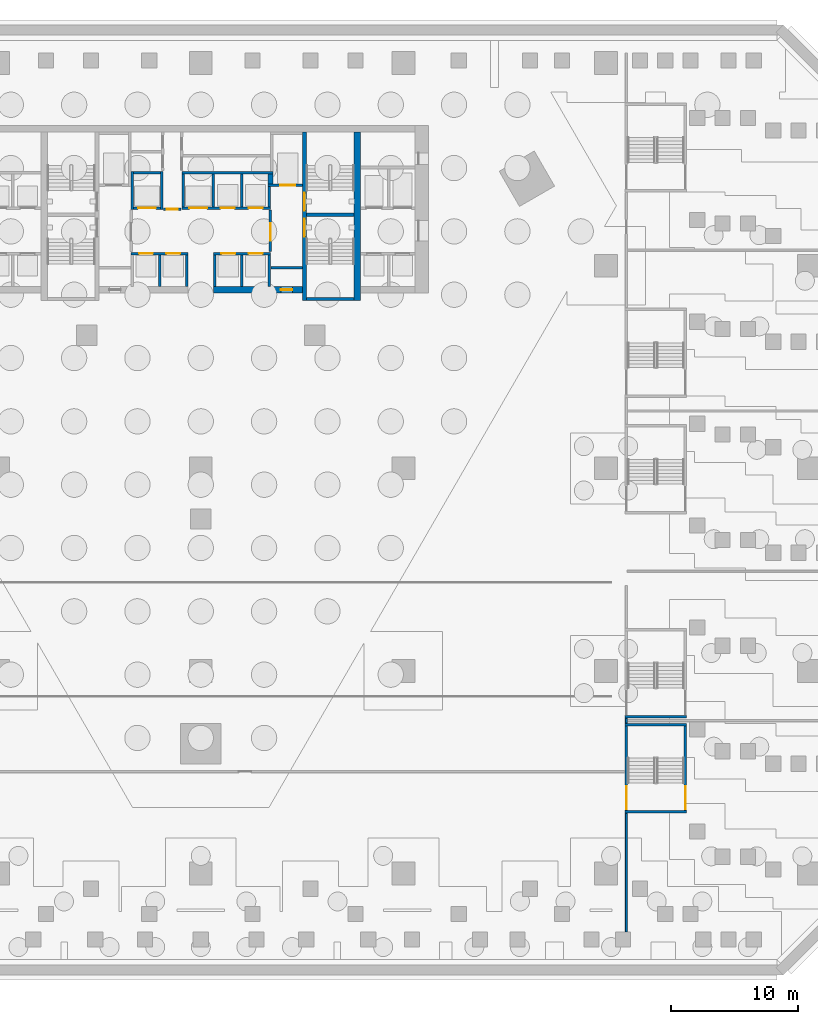
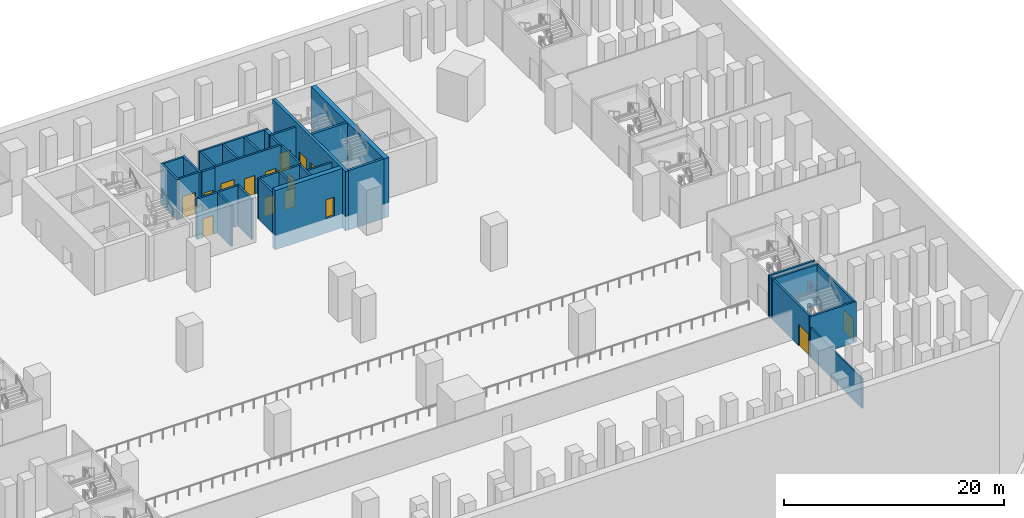
# One storey, part 9 of 27: 34 walls, 16 doors, 16 openings.
"""IFC4 building model written with IfcOpenShell, lengths in metres."""

from ifc_helpers import new_model, si_unit, direction, frame, frame_2d, origin, place, context, subcontext, project, spatial, rectangle, extrude, material, layer, layer_set, type_object, element, fill, save


model = new_model("IFC4")

# Units and contexts
model_context = context("Model", 3, precision=1e-05, world=origin(), true_north=direction((0.0, 1.0)))
body_context = subcontext(model_context, "Body", "Model", "MODEL_VIEW")
ifc_project = project(units=[si_unit("LENGTHUNIT", "METRE"), si_unit("AREAUNIT", "SQUARE_METRE"), si_unit("VOLUMEUNIT", "CUBIC_METRE"), si_unit("PLANEANGLEUNIT", "RADIAN"), si_unit("MASSUNIT", "GRAM", prefix="KILO")], contexts=[model_context])

# Site, building, storey
site_placement = place(None, origin())
site = spatial("IfcSite", under=ifc_project, at=site_placement, CompositionType="ELEMENT")
building_placement = place(site_placement, origin())
building = spatial("IfcBuilding", under=site, at=building_placement, Name="Calabash Gate Tower", CompositionType="ELEMENT")
storey_placement = place(building_placement, frame((0.0, 0.0, -10.0)))
storey = spatial("IfcBuildingStorey", under=building, at=storey_placement, Name="B2", CompositionType="ELEMENT", Elevation=-10.0)

# Walls
ifc_material_1 = material(Name="Concrete C60/75", Category="concrete")
ifc_layer_1 = layer(ifc_material_1, 0.25)
ifc_layer_set_1 = layer_set([ifc_layer_1], Name="Core wall 250 Concrete C60/75")
wall_type_1 = type_object("IfcWallType", Name="Core wall 250 Concrete C60/75", PredefinedType="SHEAR", material=ifc_layer_set_1)
for number, where, z_axis, x_axis, name in (
    (1, (8.35009765625, 12.027587890625, -1.60009765625), (0.0, 0.0, 1.0), (1.0, 0.0, 0.0), "Core wall B-MIDE B2"),
    (2, (8.35009765625, 5.377685546875, -1.60009765625), (0.0, 0.0, 1.0), (1.0, 0.0, 0.0), "Core wall B-SSE B2"),
):
    element("IfcWall", number, at=place(storey_placement, frame(where, z_axis=z_axis, x_axis=x_axis)), inside=storey, type_object=wall_type_1, Name=name, PredefinedType="SHEAR", context=body_context, shape_type="SweptSolid", body=[
        extrude(rectangle(XDim=3.75, YDim=0.25, at=frame_2d((1.875, 0.0))), origin(), (0.0, 0.0, 1.0), 6.60009765625),
    ])

# Wall, openings, doors
ifc_material_2 = material(Name="Concrete C60/75", Category="concrete")
ifc_layer_2 = layer(ifc_material_2, 0.300048828125)
ifc_layer_set_2 = layer_set([ifc_layer_2], Name="Core wall 300 Concrete C60/75")
wall_type_2 = type_object("IfcWallType", Name="Core wall 300 Concrete C60/75", PredefinedType="SHEAR", material=ifc_layer_set_2)
wall_1_placement = place(storey_placement, frame((8.199951171875, 5.252685546875, -1.60009765625), z_axis=(0.0, 0.0, 1.0), x_axis=(0.0, 1.0, 0.0)))
wall_1 = element("IfcWall", 3, at=wall_1_placement, inside=storey, type_object=wall_type_2, Name="Core wall B-PARTE B2", PredefinedType="SHEAR", context=body_context, shape_type="SweptSolid", body=[
    extrude(rectangle(XDim=13.2998046875, YDim=0.300048828125, at=frame_2d((6.64990234375, 0.0))), origin(), (0.0, 0.0, 1.0), 6.60009765625),
])
opening_1_placement = place(wall_1_placement, frame((7.10009765625, 0.0, 1.60009765625)))
opening_1 = element("IfcOpeningElement", 4, at=opening_1_placement, cuts=wall_1, Name="Opening B2-003", PredefinedType="OPENING", context=body_context, shape_type="SweptSolid", body=[
    extrude(rectangle(XDim=1.39990234375, YDim=2.10009765625, at=frame_2d((0.699951171875, 1.050048828125))), frame((0.0, 0.159912109375, 0.0), z_axis=(0.0, -1.0, 0.0), x_axis=(1.0, 0.0, 0.0)), (0.0, 0.0, 1.0), 0.320068359375),
])
opening_2_placement = place(wall_1_placement, frame((5.050048828125, 0.0, 1.60009765625)))
opening_2 = element("IfcOpeningElement", 5, at=opening_2_placement, cuts=wall_1, Name="Opening B2-004", PredefinedType="OPENING", context=body_context, shape_type="SweptSolid", body=[
    extrude(rectangle(XDim=1.39990234375, YDim=2.10009765625, at=frame_2d((0.699951171875, 1.050048828125))), frame((0.0, 0.159912109375, 0.0), z_axis=(0.0, -1.0, 0.0), x_axis=(1.0, 0.0, 0.0)), (0.0, 0.0, 1.0), 0.320068359375),
])
ifc_material_3 = material(Name="Steel fire door set with fire-resisting glazing", Category="steel")
door_type_1 = type_object("IfcDoorType", Name="Fire door D05 1400x2100 FD90", OperationType="NOTDEFINED", PredefinedType="DOOR", material=ifc_material_3)
door_1_placement = place(opening_1_placement, origin())
door_1 = element("IfcDoor", 6, at=door_1_placement, inside=storey, type_object=door_type_1, Name="Exit stair door ST3", OperationType="SINGLE_SWING_RIGHT", OverallHeight=2.10009765625, OverallWidth=1.39990234375, PredefinedType="DOOR", context=body_context, shape_type="SweptSolid", body=[
    extrude(rectangle(XDim=1.39990234375, YDim=2.10009765625, at=frame_2d((0.699951171875, 1.050048828125))), frame((0.0, 0.02490234375, 0.0), z_axis=(0.0, -1.0, 0.0), x_axis=(1.0, 0.0, 0.0)), (0.0, 0.0, 1.0), 0.050048828125),
])
fill(opening_1, door_1)
door_2_placement = place(opening_2_placement, origin())
door_2 = element("IfcDoor", 7, at=door_2_placement, inside=storey, type_object=door_type_1, Name="Exit stair door ST4", OperationType="SINGLE_SWING_LEFT", OverallHeight=2.10009765625, OverallWidth=1.39990234375, PredefinedType="DOOR", context=body_context, shape_type="SweptSolid", body=[
    extrude(rectangle(XDim=1.39990234375, YDim=2.10009765625, at=frame_2d((0.699951171875, 1.050048828125))), frame((0.0, 0.02490234375, 0.0), z_axis=(0.0, -1.0, 0.0), x_axis=(1.0, 0.0, 0.0)), (0.0, 0.0, 1.0), 0.050048828125),
])
fill(opening_2, door_2)

# Wall
ifc_material_4 = material(Name="Concrete C60/75", Category="concrete")
ifc_layer_3 = layer(ifc_material_4, 0.5)
ifc_layer_set_3 = layer_set([ifc_layer_3], Name="Core wall 500 Concrete C60/75")
wall_type_3 = type_object("IfcWallType", Name="Core wall 500 Concrete C60/75", PredefinedType="SHEAR", material=ifc_layer_set_3)
wall_2_placement = place(storey_placement, frame((12.35009765625, 5.252685546875, -1.60009765625), z_axis=(0.0, 0.0, 1.0), x_axis=(0.0, 1.0, 0.0)))
element("IfcWall", 8, at=wall_2_placement, inside=storey, type_object=wall_type_3, Name="Core wall B-COLE B2", PredefinedType="SHEAR", context=body_context, shape_type="SweptSolid", body=[
    extrude(rectangle(XDim=13.2998046875, YDim=0.5, at=frame_2d((6.64990234375, 0.0))), origin(), (0.0, 0.0, 1.0), 6.60009765625),
])

# Wall, opening, door
wall_3_placement = place(storey_placement, frame((1.0, 6.1025390625, -1.60009765625), z_axis=(0.0, 0.0, 1.0), x_axis=(1.0, 0.0, 0.0)))
wall_3 = element("IfcWall", 9, at=wall_3_placement, inside=storey, type_object=wall_type_3, Name="Core wall B-SB B2", PredefinedType="SHEAR", context=body_context, shape_type="SweptSolid", body=[
    extrude(rectangle(XDim=7.050048828125, YDim=0.5, at=frame_2d((3.52490234375, 0.0))), origin(), (0.0, 0.0, 1.0), 6.60009765625),
])
opening_3_placement = place(wall_3_placement, frame((5.324951171875, 0.0, 1.60009765625)))
opening_3 = element("IfcOpeningElement", 10, at=opening_3_placement, cuts=wall_3, Name="Opening B2-013", PredefinedType="OPENING", context=body_context, shape_type="SweptSolid", body=[
    extrude(rectangle(XDim=0.89990234375, YDim=2.10009765625, at=frame_2d((0.449951171875, 1.050048828125))), frame((0.0, 0.260009765625, 0.0), z_axis=(0.0, -1.0, 0.0), x_axis=(1.0, 0.0, 0.0)), (0.0, 0.0, 1.0), 0.52001953125),
])
ifc_material_5 = material(Name="Steel fire door set with fire-resisting glazing", Category="steel")
door_type_2 = type_object("IfcDoorType", Name="Fire door D07 900x2100 FD90", OperationType="NOTDEFINED", PredefinedType="DOOR", material=ifc_material_5)
door_3_placement = place(opening_3_placement, origin())
door_3 = element("IfcDoor", 11, at=door_3_placement, inside=storey, type_object=door_type_2, Name="Mechanical Riser E door", OperationType="SINGLE_SWING_RIGHT", OverallHeight=2.10009765625, OverallWidth=0.89990234375, PredefinedType="DOOR", context=body_context, shape_type="SweptSolid", body=[
    extrude(rectangle(XDim=0.89990234375, YDim=2.10009765625, at=frame_2d((0.449951171875, 1.050048828125))), frame((0.0, 0.02490234375, 0.0), z_axis=(0.0, -1.0, 0.0), x_axis=(1.0, 0.0, 0.0)), (0.0, 0.0, 1.0), 0.050048828125),
])
fill(opening_3, door_3)

# Walls
ifc_material_6 = material(Name="Gypsum board on steel studs, mineral wool", Category="steel")
ifc_layer_4 = layer(ifc_material_6, 0.14990234375)
ifc_layer_set_4 = layer_set([ifc_layer_4], Name="Partition 150 gypsum board")
wall_type_4 = type_object("IfcWallType", Name="Partition 150 gypsum board", PredefinedType="PARTITIONING", material=ifc_layer_set_4)
wall_4_placement = place(storey_placement, frame((33.60009765625, -44.60009765625, 0.0), z_axis=(0.0, 0.0, 1.0), x_axis=(0.0, 1.0, 0.0)))
element("IfcWall", 12, at=wall_4_placement, inside=storey, type_object=wall_type_4, Name="Partition", PredefinedType="PARTITIONING", context=body_context, shape_type="SweptSolid", body=[
    extrude(rectangle(XDim=9.360107421875, YDim=0.14990234375, at=frame_2d((4.68017578125, 0.0))), origin(), (0.0, 0.0, 1.0), 3.300048828125),
])
wall_5_placement = place(storey_placement, frame((33.60009765625, -28.110107421875, 0.0), z_axis=(0.0, 0.0, 1.0), x_axis=(0.0, 1.0, 0.0)))
element("IfcWall", 13, at=wall_5_placement, inside=storey, type_object=wall_type_4, Name="Partition", PredefinedType="PARTITIONING", context=body_context, shape_type="SweptSolid", body=[
    extrude(rectangle(XDim=0.3701171875, YDim=0.14990234375, at=frame_2d((0.18505859375, 0.0))), origin(), (0.0, 0.0, 1.0), 4.5),
])
ifc_material_7 = material(Name="Concrete C40/50", Category="concrete")
ifc_layer_5 = layer(ifc_material_7, 0.199951171875)
ifc_layer_set_5 = layer_set([ifc_layer_5], Name="Shaft wall 200 Concrete C40/50")
wall_type_5 = type_object("IfcWallType", Name="Shaft wall 200 Concrete C40/50", PredefinedType="SOLIDWALL", material=ifc_layer_set_5)
for number, where, z_axis, x_axis, name in (
    (14, (-3.25, 6.3525390625, 0.0), (0.0, 0.0, 1.0), (0.0, 1.0, 0.0), "Shaft wall"),
    (15, (-1.10009765625, 6.3525390625, 0.0), (0.0, 0.0, 1.0), (0.0, 1.0, 0.0), "Shaft wall"),
    (16, (1.10009765625, 6.3525390625, 0.0), (0.0, 0.0, 1.0), (0.0, 1.0, 0.0), "Shaft wall"),
    (17, (3.25, 6.3525390625, 0.0), (0.0, 0.0, 1.0), (0.0, 1.0, 0.0), "Shaft wall"),
    (18, (5.39990234375, 6.3525390625, 0.0), (0.0, 0.0, 1.0), (0.0, 1.0, 0.0), "Shaft wall"),
    (19, (5.550048828125, 7.8525390625, 0.0), (0.0, 0.0, 1.0), (1.0, 0.0, 0.0), "Shaft wall"),
):
    element("IfcWall", number, at=place(storey_placement, frame(where, z_axis=z_axis, x_axis=x_axis)), inside=storey, type_object=wall_type_5, Name=name, PredefinedType="SOLIDWALL", context=body_context, shape_type="SweptSolid", body=[
        extrude(rectangle(XDim=2.5, YDim=0.199951171875, at=frame_2d((1.25, 0.0))), origin(), (0.0, 0.0, 1.0), 4.5),
    ])

# Wall, openings, doors
wall_6_placement = place(storey_placement, frame((-5.5, 8.95263671875, 0.0), z_axis=(0.0, 0.0, 1.0), x_axis=(1.0, 0.0, 0.0)))
wall_6 = element("IfcWall", 20, at=wall_6_placement, inside=storey, type_object=wall_type_5, Name="Shaft wall", PredefinedType="SOLIDWALL", context=body_context, shape_type="SweptSolid", body=[
    extrude(rectangle(XDim=4.5, YDim=0.199951171875, at=frame_2d((2.25, 0.0))), origin(), (0.0, 0.0, 1.0), 4.5),
])
opening_4_placement = place(wall_6_placement, frame((0.625, 0.0, 0.0)))
opening_4 = element("IfcOpeningElement", 21, at=opening_4_placement, cuts=wall_6, Name="Opening LD-HR1", PredefinedType="OPENING", context=body_context, shape_type="SweptSolid", body=[
    extrude(rectangle(XDim=1.10009765625, YDim=2.10009765625, at=frame_2d((0.550048828125, 1.050048828125))), frame((0.0, 0.10986328125, 0.0), z_axis=(0.0, -1.0, 0.0), x_axis=(1.0, 0.0, 0.0)), (0.0, 0.0, 1.0), 0.219970703125),
])
opening_5_placement = place(wall_6_placement, frame((2.77490234375, 0.0, 0.0)))
opening_5 = element("IfcOpeningElement", 22, at=opening_5_placement, cuts=wall_6, Name="Opening LD-HR2", PredefinedType="OPENING", context=body_context, shape_type="SweptSolid", body=[
    extrude(rectangle(XDim=1.10009765625, YDim=2.10009765625, at=frame_2d((0.550048828125, 1.050048828125))), frame((0.0, 0.10986328125, 0.0), z_axis=(0.0, -1.0, 0.0), x_axis=(1.0, 0.0, 0.0)), (0.0, 0.0, 1.0), 0.219970703125),
])
ifc_material_8 = material(Name="Stainless steel sliding door leaves", Category="steel")
door_type_3 = type_object("IfcDoorType", Name="Lift landing door LS1 1100x2100 FD90", OperationType="DOUBLE_DOOR_SLIDING", PredefinedType="DOOR", material=ifc_material_8)
door_4_placement = place(opening_4_placement, origin())
door_4 = element("IfcDoor", 23, at=door_4_placement, inside=storey, type_object=door_type_3, Name="Lift landing door HR1", OperationType="DOUBLE_DOOR_SLIDING", OverallHeight=2.10009765625, OverallWidth=1.10009765625, PredefinedType="DOOR", context=body_context, shape_type="SweptSolid", body=[
    extrude(rectangle(XDim=1.10009765625, YDim=2.10009765625, at=frame_2d((0.550048828125, 1.050048828125))), frame((0.0, 0.02490234375, 0.0), z_axis=(0.0, -1.0, 0.0), x_axis=(1.0, 0.0, 0.0)), (0.0, 0.0, 1.0), 0.050048828125),
])
fill(opening_4, door_4)
door_5_placement = place(opening_5_placement, origin())
door_5 = element("IfcDoor", 24, at=door_5_placement, inside=storey, type_object=door_type_3, Name="Lift landing door HR2", OperationType="DOUBLE_DOOR_SLIDING", OverallHeight=2.10009765625, OverallWidth=1.10009765625, PredefinedType="DOOR", context=body_context, shape_type="SweptSolid", body=[
    extrude(rectangle(XDim=1.10009765625, YDim=2.10009765625, at=frame_2d((0.550048828125, 1.050048828125))), frame((0.0, 0.02490234375, 0.0), z_axis=(0.0, -1.0, 0.0), x_axis=(1.0, 0.0, 0.0)), (0.0, 0.0, 1.0), 0.050048828125),
])
fill(opening_5, door_5)

wall_7_placement = place(storey_placement, frame((1.0, 8.95263671875, 0.0), z_axis=(0.0, 0.0, 1.0), x_axis=(1.0, 0.0, 0.0)))
wall_7 = element("IfcWall", 25, at=wall_7_placement, inside=storey, type_object=wall_type_5, Name="Shaft wall", PredefinedType="SOLIDWALL", context=body_context, shape_type="SweptSolid", body=[
    extrude(rectangle(XDim=4.5, YDim=0.199951171875, at=frame_2d((2.25, 0.0))), origin(), (0.0, 0.0, 1.0), 4.5),
])
opening_6_placement = place(wall_7_placement, frame((0.625, 0.0, 0.0)))
opening_6 = element("IfcOpeningElement", 26, at=opening_6_placement, cuts=wall_7, Name="Opening LD-HR3", PredefinedType="OPENING", context=body_context, shape_type="SweptSolid", body=[
    extrude(rectangle(XDim=1.10009765625, YDim=2.10009765625, at=frame_2d((0.550048828125, 1.050048828125))), frame((0.0, 0.10986328125, 0.0), z_axis=(0.0, -1.0, 0.0), x_axis=(1.0, 0.0, 0.0)), (0.0, 0.0, 1.0), 0.219970703125),
])
opening_7_placement = place(wall_7_placement, frame((2.77490234375, 0.0, 0.0)))
opening_7 = element("IfcOpeningElement", 27, at=opening_7_placement, cuts=wall_7, Name="Opening LD-HR4", PredefinedType="OPENING", context=body_context, shape_type="SweptSolid", body=[
    extrude(rectangle(XDim=1.10009765625, YDim=2.10009765625, at=frame_2d((0.550048828125, 1.050048828125))), frame((0.0, 0.10986328125, 0.0), z_axis=(0.0, -1.0, 0.0), x_axis=(1.0, 0.0, 0.0)), (0.0, 0.0, 1.0), 0.219970703125),
])
door_6_placement = place(opening_6_placement, origin())
door_6 = element("IfcDoor", 28, at=door_6_placement, inside=storey, type_object=door_type_3, Name="Lift landing door HR3", OperationType="DOUBLE_DOOR_SLIDING", OverallHeight=2.10009765625, OverallWidth=1.10009765625, PredefinedType="DOOR", context=body_context, shape_type="SweptSolid", body=[
    extrude(rectangle(XDim=1.10009765625, YDim=2.10009765625, at=frame_2d((0.550048828125, 1.050048828125))), frame((0.0, 0.02490234375, 0.0), z_axis=(0.0, -1.0, 0.0), x_axis=(1.0, 0.0, 0.0)), (0.0, 0.0, 1.0), 0.050048828125),
])
fill(opening_6, door_6)
door_7_placement = place(opening_7_placement, origin())
door_7 = element("IfcDoor", 29, at=door_7_placement, inside=storey, type_object=door_type_3, Name="Lift landing door HR4", OperationType="DOUBLE_DOOR_SLIDING", OverallHeight=2.10009765625, OverallWidth=1.10009765625, PredefinedType="DOOR", context=body_context, shape_type="SweptSolid", body=[
    extrude(rectangle(XDim=1.10009765625, YDim=2.10009765625, at=frame_2d((0.550048828125, 1.050048828125))), frame((0.0, 0.02490234375, 0.0), z_axis=(0.0, -1.0, 0.0), x_axis=(1.0, 0.0, 0.0)), (0.0, 0.0, 1.0), 0.050048828125),
])
fill(opening_7, door_7)

# Wall, opening, door
wall_8_placement = place(storey_placement, frame((5.5, 9.1025390625, 0.0), z_axis=(0.0, 0.0, 1.0), x_axis=(0.0, 1.0, 0.0)))
wall_8 = element("IfcWall", 30, at=wall_8_placement, inside=storey, type_object=wall_type_5, Name="Shaft wall", PredefinedType="SOLIDWALL", context=body_context, shape_type="SweptSolid", body=[
    extrude(rectangle(XDim=3.300048828125, YDim=0.199951171875, at=frame_2d((1.64990234375, 0.0))), origin(), (0.0, 0.0, 1.0), 4.5),
])
opening_8_placement = place(wall_8_placement, frame((0.85009765625, 0.0, 0.0)))
opening_8 = element("IfcOpeningElement", 31, at=opening_8_placement, cuts=wall_8, Name="Opening B2-007", PredefinedType="OPENING", context=body_context, shape_type="SweptSolid", body=[
    extrude(rectangle(XDim=1.39990234375, YDim=2.10009765625, at=frame_2d((0.699951171875, 1.050048828125))), frame((0.0, 0.10986328125, 0.0), z_axis=(0.0, -1.0, 0.0), x_axis=(1.0, 0.0, 0.0)), (0.0, 0.0, 1.0), 0.219970703125),
])
door_8_placement = place(opening_8_placement, origin())
door_8 = element("IfcDoor", 32, at=door_8_placement, inside=storey, type_object=door_type_1, Name="Firefighting Lobby E door", OperationType="SINGLE_SWING_LEFT", OverallHeight=2.10009765625, OverallWidth=1.39990234375, PredefinedType="DOOR", context=body_context, shape_type="SweptSolid", body=[
    extrude(rectangle(XDim=1.39990234375, YDim=2.10009765625, at=frame_2d((0.699951171875, 1.050048828125))), frame((0.0, 0.02490234375, 0.0), z_axis=(0.0, -1.0, 0.0), x_axis=(1.0, 0.0, 0.0)), (0.0, 0.0, 1.0), 0.050048828125),
])
fill(opening_8, door_8)

wall_9_placement = place(storey_placement, frame((-2.949951171875, 12.45263671875, 0.0), z_axis=(0.0, 0.0, 1.0), x_axis=(1.0, 0.0, 0.0)))
wall_9 = element("IfcWall", 33, at=wall_9_placement, inside=storey, type_object=wall_type_5, Name="Shaft wall", PredefinedType="SOLIDWALL", context=body_context, shape_type="SweptSolid", body=[
    extrude(rectangle(XDim=1.39990234375, YDim=0.199951171875, at=frame_2d((0.699951171875, 0.0))), origin(), (0.0, 0.0, 1.0), 4.5),
])
opening_9_placement = place(wall_9_placement, frame((0.25, 0.0, 0.0)))
opening_9 = element("IfcOpeningElement", 34, at=opening_9_placement, cuts=wall_9, Name="Opening B2-005", PredefinedType="OPENING", context=body_context, shape_type="SweptSolid", body=[
    extrude(rectangle(XDim=0.89990234375, YDim=2.10009765625, at=frame_2d((0.449951171875, 1.050048828125))), frame((0.0, 0.10986328125, 0.0), z_axis=(0.0, -1.0, 0.0), x_axis=(1.0, 0.0, 0.0)), (0.0, 0.0, 1.0), 0.219970703125),
])
ifc_material_9 = material(Name="Steel fire door set with fire-resisting glazing", Category="steel")
door_type_4 = type_object("IfcDoorType", Name="Fire door D06 900x2100 FD60", OperationType="NOTDEFINED", PredefinedType="DOOR", material=ifc_material_9)
door_9_placement = place(opening_9_placement, origin())
door_9 = element("IfcDoor", 35, at=door_9_placement, inside=storey, type_object=door_type_4, Name="Service Corridor door", OperationType="SINGLE_SWING_RIGHT", OverallHeight=2.10009765625, OverallWidth=0.89990234375, PredefinedType="DOOR", context=body_context, shape_type="SweptSolid", body=[
    extrude(rectangle(XDim=0.89990234375, YDim=2.10009765625, at=frame_2d((0.449951171875, 1.050048828125))), frame((0.0, 0.02490234375, 0.0), z_axis=(0.0, -1.0, 0.0), x_axis=(1.0, 0.0, 0.0)), (0.0, 0.0, 1.0), 0.050048828125),
])
fill(opening_9, door_9)

# Wall
wall_10_placement = place(storey_placement, frame((-5.39990234375, 12.45263671875, 0.0), z_axis=(0.0, 0.0, 1.0), x_axis=(0.0, 1.0, 0.0)))
element("IfcWall", 36, at=wall_10_placement, inside=storey, type_object=wall_type_5, Name="Shaft wall", PredefinedType="SOLIDWALL", context=body_context, shape_type="SweptSolid", body=[
    extrude(rectangle(XDim=3.0, YDim=0.199951171875, at=frame_2d((1.5, 0.0))), origin(), (0.0, 0.0, 1.0), 4.5),
])

# Wall, opening, door
wall_11_placement = place(storey_placement, frame((-5.300048828125, 12.552490234375, 0.0), z_axis=(0.0, 0.0, 1.0), x_axis=(1.0, 0.0, 0.0)))
wall_11 = element("IfcWall", 37, at=wall_11_placement, inside=storey, type_object=wall_type_5, Name="Shaft wall", PredefinedType="SOLIDWALL", context=body_context, shape_type="SweptSolid", body=[
    extrude(rectangle(XDim=2.10009765625, YDim=0.199951171875, at=frame_2d((1.050048828125, 0.0))), origin(), (0.0, 0.0, 1.0), 4.5),
])
opening_10_placement = place(wall_11_placement, frame((0.35009765625, 0.0, 0.0)))
opening_10 = element("IfcOpeningElement", 38, at=opening_10_placement, cuts=wall_11, Name="Opening LD-OB1", PredefinedType="OPENING", context=body_context, shape_type="SweptSolid", body=[
    extrude(rectangle(XDim=1.39990234375, YDim=2.39990234375, at=frame_2d((0.699951171875, 1.199951171875))), frame((0.0, 0.10986328125, 0.0), z_axis=(0.0, -1.0, 0.0), x_axis=(1.0, 0.0, 0.0)), (0.0, 0.0, 1.0), 0.219970703125),
])
ifc_material_10 = material(Name="Stainless steel sliding door leaves", Category="steel")
door_type_5 = type_object("IfcDoorType", Name="Lift landing door LS2 1400x2400 FD90", OperationType="DOUBLE_DOOR_SLIDING", PredefinedType="DOOR", material=ifc_material_10)
door_10_placement = place(opening_10_placement, origin())
door_10 = element("IfcDoor", 39, at=door_10_placement, inside=storey, type_object=door_type_5, Name="Lift landing door OB1", OperationType="DOUBLE_DOOR_SLIDING", OverallHeight=2.39990234375, OverallWidth=1.39990234375, PredefinedType="DOOR", context=body_context, shape_type="SweptSolid", body=[
    extrude(rectangle(XDim=1.39990234375, YDim=2.39990234375, at=frame_2d((0.699951171875, 1.199951171875))), frame((0.0, 0.02490234375, 0.0), z_axis=(0.0, -1.0, 0.0), x_axis=(1.0, 0.0, 0.0)), (0.0, 0.0, 1.0), 0.050048828125),
])
fill(opening_10, door_10)

# Wall
wall_12_placement = place(storey_placement, frame((-3.10009765625, 12.45263671875, 0.0), z_axis=(0.0, 0.0, 1.0), x_axis=(0.0, 1.0, 0.0)))
element("IfcWall", 40, at=wall_12_placement, inside=storey, type_object=wall_type_5, Name="Shaft wall", PredefinedType="SOLIDWALL", context=body_context, shape_type="SweptSolid", body=[
    extrude(rectangle(XDim=3.0, YDim=0.199951171875, at=frame_2d((1.5, 0.0))), origin(), (0.0, 0.0, 1.0), 4.5),
])

# Wall, openings, doors
wall_13_placement = place(storey_placement, frame((-1.5, 12.552490234375, 0.0), z_axis=(0.0, 0.0, 1.0), x_axis=(1.0, 0.0, 0.0)))
wall_13 = element("IfcWall", 41, at=wall_13_placement, inside=storey, type_object=wall_type_5, Name="Shaft wall", PredefinedType="SOLIDWALL", context=body_context, shape_type="SweptSolid", body=[
    extrude(rectangle(XDim=7.0, YDim=0.199951171875, at=frame_2d((3.5, 0.0))), origin(), (0.0, 0.0, 1.0), 4.5),
])
opening_11_placement = place(wall_13_placement, frame((0.60009765625, 0.0, 0.0)))
opening_11 = element("IfcOpeningElement", 42, at=opening_11_placement, cuts=wall_13, Name="Opening LD-OB2", PredefinedType="OPENING", context=body_context, shape_type="SweptSolid", body=[
    extrude(rectangle(XDim=1.39990234375, YDim=2.39990234375, at=frame_2d((0.699951171875, 1.199951171875))), frame((0.0, 0.10986328125, 0.0), z_axis=(0.0, -1.0, 0.0), x_axis=(1.0, 0.0, 0.0)), (0.0, 0.0, 1.0), 0.219970703125),
])
opening_12_placement = place(wall_13_placement, frame((3.074951171875, 0.0, 0.0)))
opening_12 = element("IfcOpeningElement", 43, at=opening_12_placement, cuts=wall_13, Name="Opening LD-HR5", PredefinedType="OPENING", context=body_context, shape_type="SweptSolid", body=[
    extrude(rectangle(XDim=1.10009765625, YDim=2.10009765625, at=frame_2d((0.550048828125, 1.050048828125))), frame((0.0, 0.10986328125, 0.0), z_axis=(0.0, -1.0, 0.0), x_axis=(1.0, 0.0, 0.0)), (0.0, 0.0, 1.0), 0.219970703125),
])
opening_13_placement = place(wall_13_placement, frame((5.27490234375, 0.0, 0.0)))
opening_13 = element("IfcOpeningElement", 44, at=opening_13_placement, cuts=wall_13, Name="Opening LD-HR6", PredefinedType="OPENING", context=body_context, shape_type="SweptSolid", body=[
    extrude(rectangle(XDim=1.10009765625, YDim=2.10009765625, at=frame_2d((0.550048828125, 1.050048828125))), frame((0.0, 0.10986328125, 0.0), z_axis=(0.0, -1.0, 0.0), x_axis=(1.0, 0.0, 0.0)), (0.0, 0.0, 1.0), 0.219970703125),
])
door_11_placement = place(opening_12_placement, origin())
door_11 = element("IfcDoor", 45, at=door_11_placement, inside=storey, type_object=door_type_3, Name="Lift landing door HR5", OperationType="DOUBLE_DOOR_SLIDING", OverallHeight=2.10009765625, OverallWidth=1.10009765625, PredefinedType="DOOR", context=body_context, shape_type="SweptSolid", body=[
    extrude(rectangle(XDim=1.10009765625, YDim=2.10009765625, at=frame_2d((0.550048828125, 1.050048828125))), frame((0.0, 0.02490234375, 0.0), z_axis=(0.0, -1.0, 0.0), x_axis=(1.0, 0.0, 0.0)), (0.0, 0.0, 1.0), 0.050048828125),
])
fill(opening_12, door_11)
door_12_placement = place(opening_13_placement, origin())
door_12 = element("IfcDoor", 46, at=door_12_placement, inside=storey, type_object=door_type_3, Name="Lift landing door HR6", OperationType="DOUBLE_DOOR_SLIDING", OverallHeight=2.10009765625, OverallWidth=1.10009765625, PredefinedType="DOOR", context=body_context, shape_type="SweptSolid", body=[
    extrude(rectangle(XDim=1.10009765625, YDim=2.10009765625, at=frame_2d((0.550048828125, 1.050048828125))), frame((0.0, 0.02490234375, 0.0), z_axis=(0.0, -1.0, 0.0), x_axis=(1.0, 0.0, 0.0)), (0.0, 0.0, 1.0), 0.050048828125),
])
fill(opening_13, door_12)
door_13_placement = place(opening_11_placement, origin())
door_13 = element("IfcDoor", 47, at=door_13_placement, inside=storey, type_object=door_type_5, Name="Lift landing door OB2", OperationType="DOUBLE_DOOR_SLIDING", OverallHeight=2.39990234375, OverallWidth=1.39990234375, PredefinedType="DOOR", context=body_context, shape_type="SweptSolid", body=[
    extrude(rectangle(XDim=1.39990234375, YDim=2.39990234375, at=frame_2d((0.699951171875, 1.199951171875))), frame((0.0, 0.02490234375, 0.0), z_axis=(0.0, -1.0, 0.0), x_axis=(1.0, 0.0, 0.0)), (0.0, 0.0, 1.0), 0.050048828125),
])
fill(opening_11, door_13)

# Walls
for number, where, z_axis, x_axis, name in (
    (48, (-1.39990234375, 12.652587890625, 0.0), (0.0, 0.0, 1.0), (0.0, 1.0, 0.0), "Shaft wall"),
    (49, (1.0, 12.652587890625, 0.0), (0.0, 0.0, 1.0), (0.0, 1.0, 0.0), "Shaft wall"),
    (50, (3.25, 12.652587890625, 0.0), (0.0, 0.0, 1.0), (0.0, 1.0, 0.0), "Shaft wall"),
):
    element("IfcWall", number, at=place(storey_placement, frame(where, z_axis=z_axis, x_axis=x_axis)), inside=storey, type_object=wall_type_5, Name=name, PredefinedType="SOLIDWALL", context=body_context, shape_type="SweptSolid", body=[
        extrude(rectangle(XDim=2.60009765625, YDim=0.199951171875, at=frame_2d((1.300048828125, 0.0))), origin(), (0.0, 0.0, 1.0), 4.5),
    ])
wall_14_placement = place(storey_placement, frame((5.39990234375, 12.652587890625, 0.0), z_axis=(0.0, 0.0, 1.0), x_axis=(0.0, 1.0, 0.0)))
element("IfcWall", 51, at=wall_14_placement, inside=storey, type_object=wall_type_5, Name="Shaft wall", PredefinedType="SOLIDWALL", context=body_context, shape_type="SweptSolid", body=[
    extrude(rectangle(XDim=1.60009765625, YDim=0.199951171875, at=frame_2d((0.800048828125, 0.0))), origin(), (0.0, 0.0, 1.0), 4.5),
])

# Wall, opening, door
wall_15_placement = place(storey_placement, frame((5.300048828125, 14.3525390625, 0.0), z_axis=(0.0, 0.0, 1.0), x_axis=(1.0, 0.0, 0.0)))
wall_15 = element("IfcWall", 52, at=wall_15_placement, inside=storey, type_object=wall_type_5, Name="Shaft wall", PredefinedType="SOLIDWALL", context=body_context, shape_type="SweptSolid", body=[
    extrude(rectangle(XDim=2.75, YDim=0.199951171875, at=frame_2d((1.375, 0.0))), origin(), (0.0, 0.0, 1.0), 4.5),
])
opening_14_placement = place(wall_15_placement, frame((0.97509765625, 0.0, 0.0)))
opening_14 = element("IfcOpeningElement", 53, at=opening_14_placement, cuts=wall_15, Name="Opening LD-FF2", PredefinedType="OPENING", context=body_context, shape_type="SweptSolid", body=[
    extrude(rectangle(XDim=1.199951171875, YDim=2.10009765625, at=frame_2d((0.60009765625, 1.050048828125))), frame((0.0, 0.10986328125, 0.0), z_axis=(0.0, -1.0, 0.0), x_axis=(1.0, 0.0, 0.0)), (0.0, 0.0, 1.0), 0.219970703125),
])
ifc_material_11 = material(Name="Stainless steel sliding door leaves", Category="steel")
door_type_6 = type_object("IfcDoorType", Name="Lift landing door LS3 1200x2100 FD90", OperationType="DOUBLE_DOOR_SLIDING", PredefinedType="DOOR", material=ifc_material_11)
door_14_placement = place(opening_14_placement, origin())
door_14 = element("IfcDoor", 54, at=door_14_placement, inside=storey, type_object=door_type_6, Name="Lift landing door FF2", OperationType="DOUBLE_DOOR_SLIDING", OverallHeight=2.10009765625, OverallWidth=1.199951171875, PredefinedType="DOOR", context=body_context, shape_type="SweptSolid", body=[
    extrude(rectangle(XDim=1.199951171875, YDim=2.10009765625, at=frame_2d((0.60009765625, 1.050048828125))), frame((0.0, 0.02490234375, 0.0), z_axis=(0.0, -1.0, 0.0), x_axis=(1.0, 0.0, 0.0)), (0.0, 0.0, 1.0), 0.050048828125),
])
fill(opening_14, door_14)

# Walls
wall_16_placement = place(storey_placement, frame((5.5, 14.45263671875, 0.0), z_axis=(0.0, 0.0, 1.0), x_axis=(0.0, 1.0, 0.0)))
element("IfcWall", 55, at=wall_16_placement, inside=storey, type_object=wall_type_5, Name="Shaft wall", PredefinedType="SOLIDWALL", context=body_context, shape_type="SweptSolid", body=[
    extrude(rectangle(XDim=0.800048828125, YDim=0.39990234375, at=frame_2d((0.39990234375, 0.0))), origin(), (0.0, 0.0, 1.0), 4.5),
])
wall_17_placement = place(storey_placement, frame((-5.300048828125, 15.3525390625, 0.0), z_axis=(0.0, 0.0, 1.0), x_axis=(1.0, 0.0, 0.0)))
element("IfcWall", 56, at=wall_17_placement, inside=storey, type_object=wall_type_5, Name="Shaft wall", PredefinedType="SOLIDWALL", context=body_context, shape_type="SweptSolid", body=[
    extrude(rectangle(XDim=2.10009765625, YDim=0.199951171875, at=frame_2d((1.050048828125, 0.0))), origin(), (0.0, 0.0, 1.0), 4.5),
])
wall_18_placement = place(storey_placement, frame((-1.5, 15.3525390625, 0.0), z_axis=(0.0, 0.0, 1.0), x_axis=(1.0, 0.0, 0.0)))
element("IfcWall", 57, at=wall_18_placement, inside=storey, type_object=wall_type_5, Name="Shaft wall", PredefinedType="SOLIDWALL", context=body_context, shape_type="SweptSolid", body=[
    extrude(rectangle(XDim=7.199951171875, YDim=0.199951171875, at=frame_2d((3.60009765625, 0.0))), origin(), (0.0, 0.0, 1.0), 4.5),
])
ifc_material_12 = material(Name="Concrete C40/50", Category="concrete")
ifc_layer_6 = layer(ifc_material_12, 0.199951171875)
ifc_layer_set_6 = layer_set([ifc_layer_6], Name="Stair wall 200 Concrete C40/50")
wall_type_6 = type_object("IfcWallType", Name="Stair wall 200 Concrete C40/50", PredefinedType="SOLIDWALL", material=ifc_layer_set_6)
for number, where, z_axis, x_axis, name in (
    (58, (33.5, -35.10009765625, 0.0), (0.0, 0.0, 1.0), (1.0, 0.0, 0.0), "Stair wall"),
    (59, (33.5, -28.25, 0.0), (0.0, 0.0, 1.0), (1.0, 0.0, 0.0), "Stair wall"),
):
    element("IfcWall", number, at=place(storey_placement, frame(where, z_axis=z_axis, x_axis=x_axis)), inside=storey, type_object=wall_type_6, Name=name, PredefinedType="SOLIDWALL", context=body_context, shape_type="SweptSolid", body=[
        extrude(rectangle(XDim=4.8701171875, YDim=0.199951171875, at=frame_2d((2.43505859375, 0.0))), origin(), (0.0, 0.0, 1.0), 4.5),
    ])

# Wall, opening, door
wall_19_placement = place(storey_placement, frame((33.60009765625, -35.0, 0.0), z_axis=(0.0, 0.0, 1.0), x_axis=(0.0, 1.0, 0.0)))
wall_19 = element("IfcWall", 60, at=wall_19_placement, inside=storey, type_object=wall_type_6, Name="Stair wall", PredefinedType="SOLIDWALL", context=body_context, shape_type="SweptSolid", body=[
    extrude(rectangle(XDim=6.64990234375, YDim=0.199951171875, at=frame_2d((3.324951171875, 0.0))), origin(), (0.0, 0.0, 1.0), 4.5),
])
opening_15_placement = place(wall_19_placement, frame((0.10009765625, 0.0, 0.0)))
opening_15 = element("IfcOpeningElement", 61, at=opening_15_placement, cuts=wall_19, Name="Opening B2-028", PredefinedType="OPENING", context=body_context, shape_type="SweptSolid", body=[
    extrude(rectangle(XDim=1.800048828125, YDim=2.39990234375, at=frame_2d((0.89990234375, 1.199951171875))), frame((0.0, 0.10986328125, 0.0), z_axis=(0.0, -1.0, 0.0), x_axis=(1.0, 0.0, 0.0)), (0.0, 0.0, 1.0), 0.219970703125),
])
ifc_material_13 = material(Name="Steel fire door set with fire-resisting glazing", Category="steel")
door_type_7 = type_object("IfcDoorType", Name="Double fire door D16 1800x2400 FD90", OperationType="DOUBLE_DOOR_SINGLE_SWING", PredefinedType="DOOR", material=ifc_material_13)
door_15_placement = place(opening_15_placement, origin())
door_15 = element("IfcDoor", 62, at=door_15_placement, inside=storey, type_object=door_type_7, Name="Exit stair door PS6", OperationType="DOUBLE_DOOR_SINGLE_SWING", OverallHeight=2.39990234375, OverallWidth=1.800048828125, PredefinedType="DOOR", context=body_context, shape_type="SweptSolid", body=[
    extrude(rectangle(XDim=1.800048828125, YDim=2.39990234375, at=frame_2d((0.89990234375, 1.199951171875))), frame((0.0, 0.02490234375, 0.0), z_axis=(0.0, -1.0, 0.0), x_axis=(1.0, 0.0, 0.0)), (0.0, 0.0, 1.0), 0.050048828125),
])
fill(opening_15, door_15)

wall_20_placement = place(storey_placement, frame((38.27001953125, -35.0, 0.0), z_axis=(0.0, 0.0, 1.0), x_axis=(0.0, 1.0, 0.0)))
wall_20 = element("IfcWall", 63, at=wall_20_placement, inside=storey, type_object=wall_type_6, Name="Stair wall", PredefinedType="SOLIDWALL", context=body_context, shape_type="SweptSolid", body=[
    extrude(rectangle(XDim=6.64990234375, YDim=0.199951171875, at=frame_2d((3.324951171875, 0.0))), origin(), (0.0, 0.0, 1.0), 4.5),
])
opening_16_placement = place(wall_20_placement, frame((0.10009765625, 0.0, 0.0)))
opening_16 = element("IfcOpeningElement", 64, at=opening_16_placement, cuts=wall_20, Name="Opening B2-029", PredefinedType="OPENING", context=body_context, shape_type="SweptSolid", body=[
    extrude(rectangle(XDim=1.800048828125, YDim=2.39990234375, at=frame_2d((0.89990234375, 1.199951171875))), frame((0.0, 0.10986328125, 0.0), z_axis=(0.0, -1.0, 0.0), x_axis=(1.0, 0.0, 0.0)), (0.0, 0.0, 1.0), 0.219970703125),
])
door_16_placement = place(opening_16_placement, origin())
door_16 = element("IfcDoor", 65, at=door_16_placement, inside=storey, type_object=door_type_7, Name="Exit stair door PS6", OperationType="DOUBLE_DOOR_SINGLE_SWING", OverallHeight=2.39990234375, OverallWidth=1.800048828125, PredefinedType="DOOR", context=body_context, shape_type="SweptSolid", body=[
    extrude(rectangle(XDim=1.800048828125, YDim=2.39990234375, at=frame_2d((0.89990234375, 1.199951171875))), frame((0.0, 0.02490234375, 0.0), z_axis=(0.0, -1.0, 0.0), x_axis=(1.0, 0.0, 0.0)), (0.0, 0.0, 1.0), 0.050048828125),
])
fill(opening_16, door_16)

# Wall
wall_21_placement = place(storey_placement, frame((33.5, -27.60009765625, 0.0), z_axis=(0.0, 0.0, 1.0), x_axis=(1.0, 0.0, 0.0)))
element("IfcWall", 66, at=wall_21_placement, inside=storey, type_object=wall_type_6, Name="Stair wall", PredefinedType="SOLIDWALL", context=body_context, shape_type="SweptSolid", body=[
    extrude(rectangle(XDim=4.8701171875, YDim=0.199951171875, at=frame_2d((2.43505859375, 0.0))), origin(), (0.0, 0.0, 1.0), 4.5),
])

save(model, "model.ifc")
